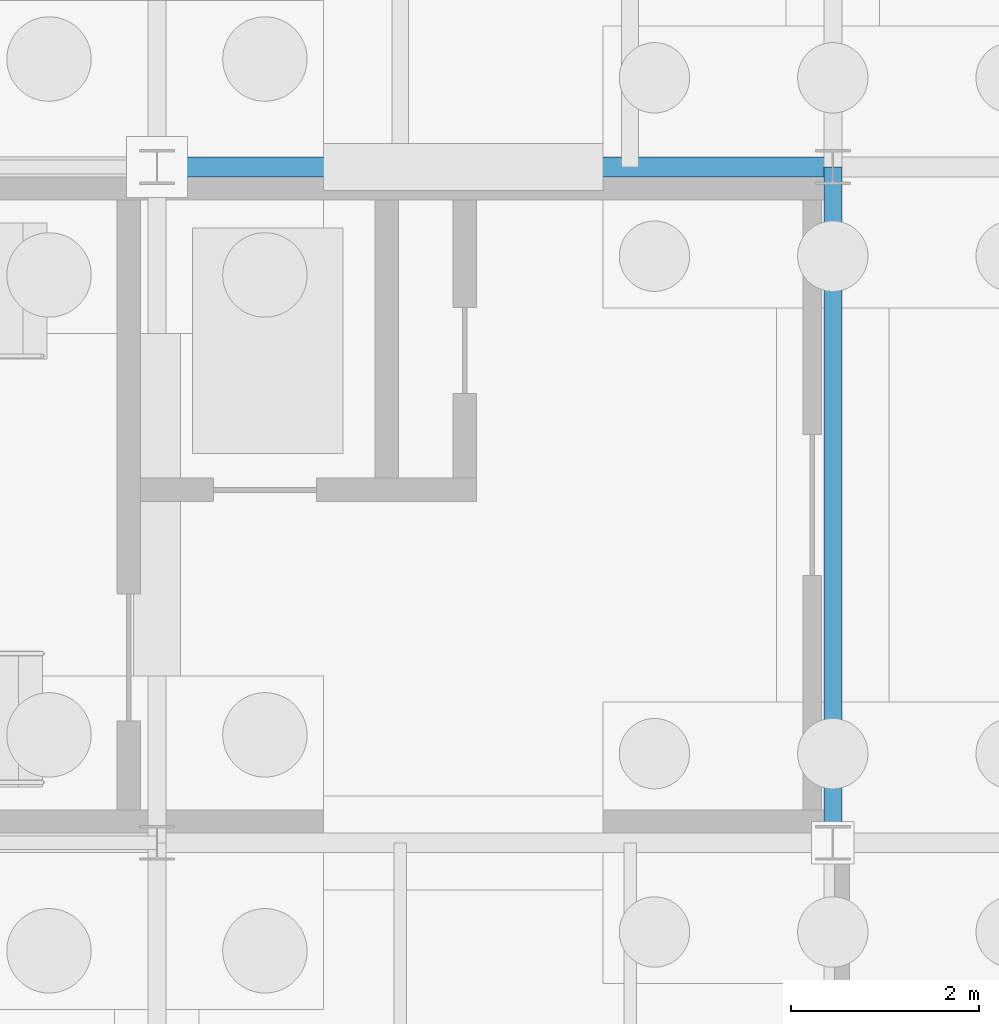
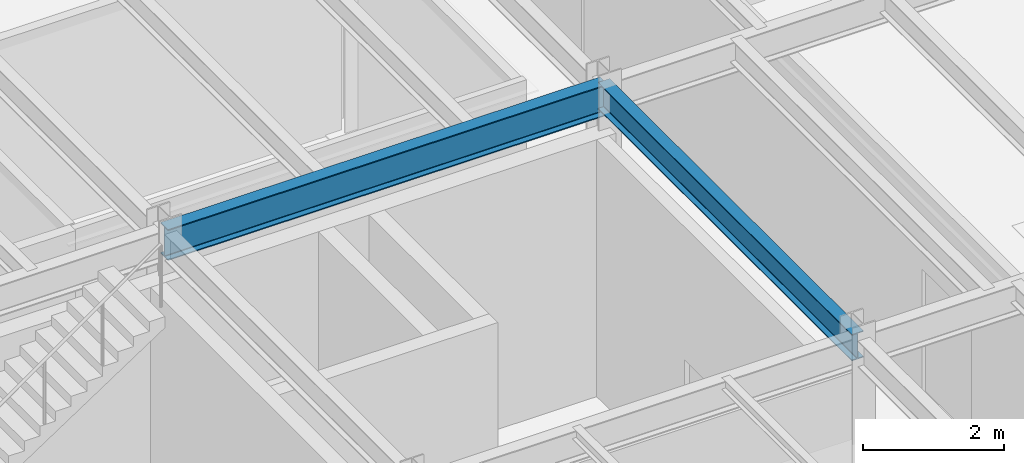
# One storey, part 47 of 293: 2 beams.
"""IFC4 building model written with IfcOpenShell, lengths in metres."""

from ifc_helpers import new_model, si_unit, direction, frame, origin, origin_2d, place, context, subcontext, project, spatial, i_section, extrude, material, material_profile, profile_set, type_object, element, save


model = new_model("IFC4")

# Units and contexts
model_context = context("Model", 3, precision=1e-05, world=origin(), true_north=direction((0.0, 1.0)))
body_context = subcontext(model_context, "Body", "Model", "MODEL_VIEW")
ifc_project = project(units=[si_unit("LENGTHUNIT", "METRE"), si_unit("AREAUNIT", "SQUARE_METRE"), si_unit("VOLUMEUNIT", "CUBIC_METRE"), si_unit("PLANEANGLEUNIT", "RADIAN"), si_unit("MASSUNIT", "GRAM", prefix="KILO")], contexts=[model_context])

# Site, building, storey
site_placement = place(None, origin())
site = spatial("IfcSite", under=ifc_project, at=site_placement, CompositionType="ELEMENT")
building_placement = place(site_placement, origin())
building = spatial("IfcBuilding", under=site, at=building_placement, Name="Kemerveld Promenade Tramway Depot", CompositionType="ELEMENT")
storey_placement = place(building_placement, origin())
storey = spatial("IfcBuildingStorey", under=building, at=storey_placement, Name="L00", CompositionType="ELEMENT", Elevation=0.0)

# Beams
ifc_material = material(Name="Steel S355", Category="steel")
ifc_material_profile_1 = material_profile(ifc_material, i_section(OverallWidth=0.2099609375, OverallDepth=0.53662109375, WebThickness=0.0107421875, FlangeThickness=0.017333984375, FilletRadius=0.0126953125, at=origin_2d()), Name="533x210x101 UB")
ifc_profile_set_1 = profile_set([ifc_material_profile_1], Name="Steel S355")
beam_type_1 = type_object("IfcBeamType", Name="BM-G05", PredefinedType="BEAM", material=ifc_profile_set_1)
beam_1_placement = place(storey_placement, frame((7.199951171875, 21.60009765625, 4.881591796875), z_axis=(1.0, 0.0, 0.0), x_axis=(0.0, 1.0, 0.0)))
element("IfcBeam", 1, at=beam_1_placement, inside=storey, type_object=beam_type_1, Name="BMX-L00-02-03-D", PredefinedType="BEAM", context=body_context, shape_type="SweptSolid", body=[
    extrude(i_section(OverallWidth=0.2099609375, OverallDepth=0.53662109375, WebThickness=0.0107421875, FlangeThickness=0.017333984375, FilletRadius=0.0126953125, at=origin_2d()), origin(), (0.0, 0.0, 1.0), 7.199951171875),
])
ifc_material_profile_2 = material_profile(ifc_material, i_section(OverallWidth=0.19140625, OverallDepth=0.4599609375, WebThickness=0.010009765625, FlangeThickness=0.01611328125, FilletRadius=0.01025390625, at=origin_2d()), Name="457x191x82 UB")
ifc_profile_set_2 = profile_set([ifc_material_profile_2], Name="Steel S355")
beam_type_2 = type_object("IfcBeamType", Name="BM-G06", PredefinedType="BEAM", material=ifc_profile_set_2)
beam_2_placement = place(storey_placement, frame((14.39990234375, 14.39990234375, 4.919921875), z_axis=(0.0, 1.0, 0.0), x_axis=(-1.0, 0.0, 0.0)))
element("IfcBeam", 2, at=beam_2_placement, inside=storey, type_object=beam_type_2, Name="BMY-L00-03-C-D", PredefinedType="BEAM", context=body_context, shape_type="SweptSolid", body=[
    extrude(i_section(OverallWidth=0.19140625, OverallDepth=0.4599609375, WebThickness=0.010009765625, FlangeThickness=0.01611328125, FilletRadius=0.01025390625, at=origin_2d()), origin(), (0.0, 0.0, 1.0), 7.2001953125),
])

save(model, "model.ifc")
